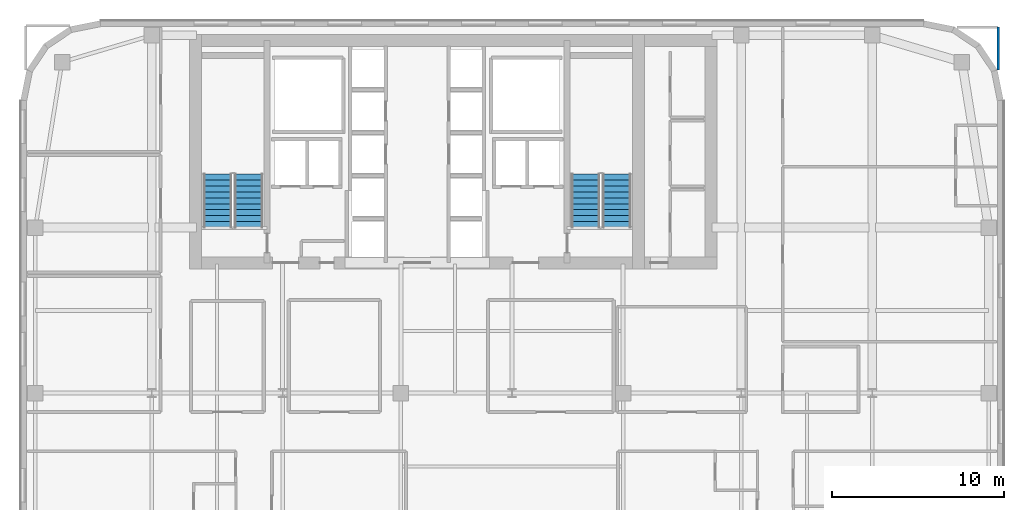
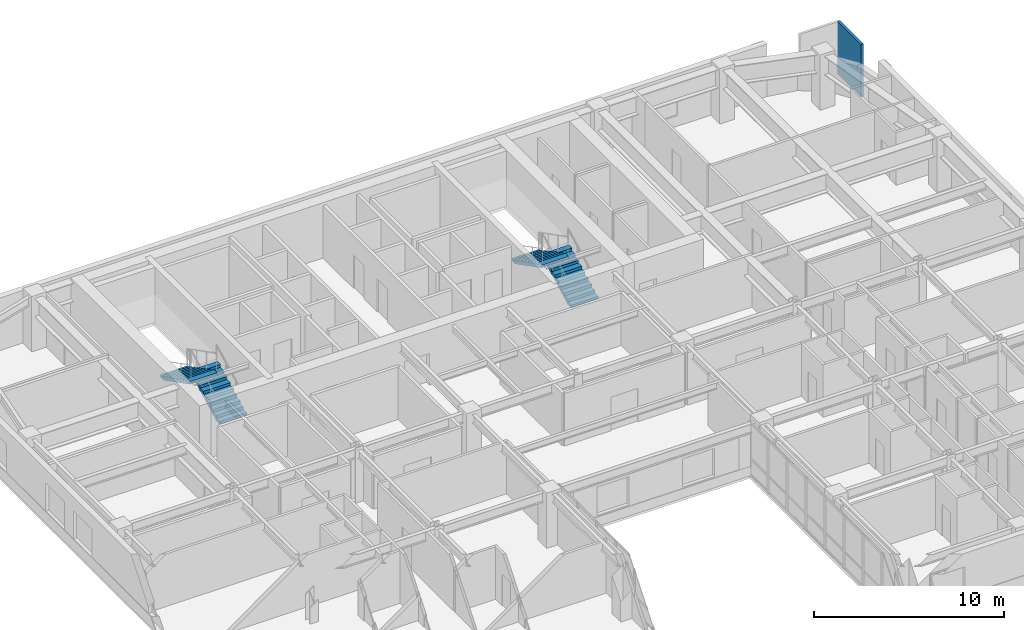
# One storey, part 20 of 25: 4 stair flights, 1 wall, 2 elements without a shape of their own.
"""IFC4 building model written with IfcOpenShell, lengths in metres."""

import ifcopenshell
import ifcopenshell.guid

model = None  # the IFC model being written
_history = None  # IfcOwnerHistory: only IFC2X3 demands one
_inside = {}  # id of a spatial element -> (the spatial element, [elements in it])
_under = {}  # id of a project, library or spatial element -> (it, [spatial elements below it])
_declared = {}  # id of a project -> (the project, [libraries it declares])
_typed = {}  # id of a type object -> (the type object, [elements of that type])
_made_of = {}  # id of a material, layer set ... -> (it, [elements and type objects made of it])


def new_model(schema):
    """Start an empty IFC model of exactly this schema.

    Asked for "IFC4X3", IfcOpenShell would pick the latest addendum, in which some entities
    have other attributes; the version numbers below select the first issue.
    IFC2X3 requires an IfcOwnerHistory on every rooted entity: one is made here for all.
    """
    global model, _history
    if schema == "IFC4X3":
        model = ifcopenshell.file(schema_version=(4, 3, 0, 0))
    else:
        model = ifcopenshell.file(schema=schema)
    _inside.clear()
    _under.clear()
    _declared.clear()
    _typed.clear()
    _made_of.clear()
    _history = None
    if model.schema == "IFC2X3":
        org = make("IfcOrganization", Name="unknown")
        user = make(
            "IfcPersonAndOrganization",
            ThePerson=make("IfcPerson", FamilyName="unknown"),
            TheOrganization=org,
        )
        app = make(
            "IfcApplication",
            ApplicationDeveloper=org,
            Version="unknown",
            ApplicationFullName="unknown",
            ApplicationIdentifier="unknown",
        )
        _history = make(
            "IfcOwnerHistory",
            OwningUser=user,
            OwningApplication=app,
            ChangeAction="ADDED",
            CreationDate=0,
        )
    return model


def make(cls, **values):
    """One entity of the class cls with the attributes given. An attribute that is None is left unset."""
    return model.create_entity(
        cls, **{name: value for name, value in values.items() if value is not None}
    )


def rooted(cls, **values):
    """An entity with a GlobalId (a new one), such as an element, a storey or a relation."""
    return make(cls, GlobalId=ifcopenshell.guid.new(), OwnerHistory=_history, **values)


def si_unit(unit_type, name, prefix=None):
    """IfcSIUnit, for example si_unit("LENGTHUNIT", "METRE", prefix="MILLI")."""
    return make("IfcSIUnit", UnitType=unit_type, Prefix=prefix, Name=name)


def assignment(units):
    """IfcUnitAssignment: the units of a project."""
    return None if units is None else make("IfcUnitAssignment", Units=units)


def point(xyz):
    """IfcCartesianPoint."""
    return None if xyz is None else make("IfcCartesianPoint", Coordinates=xyz)


def direction(xyz):
    """IfcDirection."""
    return None if xyz is None else make("IfcDirection", DirectionRatios=xyz)


def frame(location, z_axis=None, x_axis=None):
    """IfcAxis2Placement3D, a coordinate frame: its origin and axes. An axis left out is left unset."""
    return make(
        "IfcAxis2Placement3D",
        Location=point(location),
        Axis=direction(z_axis),
        RefDirection=direction(x_axis),
    )


def frame_2d(location, x_axis=None):
    """IfcAxis2Placement2D, a coordinate frame in the plane: its origin and x axis."""
    return make(
        "IfcAxis2Placement2D", Location=point(location), RefDirection=direction(x_axis)
    )


def origin():
    """The frame at (0, 0, 0) with its axes left unset."""
    return frame((0.0, 0.0, 0.0))


def place(relative_to, where):
    """IfcLocalPlacement: puts the frame where relative to a parent placement (None: the world)."""
    return make(
        "IfcLocalPlacement", PlacementRelTo=relative_to, RelativePlacement=where
    )


def context(
    kind, dimensions, precision=None, world=None, true_north=None, identifier=None
):
    """IfcGeometricRepresentationContext, for example the 3D "Model" context."""
    return make(
        "IfcGeometricRepresentationContext",
        ContextIdentifier=identifier,
        ContextType=kind,
        CoordinateSpaceDimension=dimensions,
        Precision=precision,
        WorldCoordinateSystem=world,
        TrueNorth=true_north,
    )


def subcontext(parent, identifier, kind, view, scale=None):
    """IfcGeometricRepresentationSubContext, for example "Body" below "Model"."""
    return make(
        "IfcGeometricRepresentationSubContext",
        ContextIdentifier=identifier,
        ContextType=kind,
        ParentContext=parent,
        TargetScale=scale,
        TargetView=view,
    )


def project(units=None, contexts=None):
    """IfcProject with its units and contexts."""
    return rooted(
        "IfcProject",
        Name="project",
        RepresentationContexts=contexts,
        UnitsInContext=assignment(units),
    )


def spatial(cls, under=None, at=None, **own):
    """A site, building, storey or space (cls), placed at a placement, below another one or the project."""
    s = rooted(cls, ObjectPlacement=at, **own)
    if under is not None:
        _under.setdefault(under.id(), (under, []))[1].append(s)
    return s


def polyline(points):
    """IfcPolyline through the points."""
    return make("IfcPolyline", Points=[point(p) for p in points])


def profile(cls, at=None, kind="AREA", **sizes):
    """A parametric profile (cls). Its sizes go by their IFC names, for example OverallWidth=200.0."""
    return make(cls, ProfileType=kind, Position=at, **sizes)


def rectangle(**sizes):
    """IfcRectangleProfileDef."""
    return profile("IfcRectangleProfileDef", **sizes)


def outline(outer, holes=None, kind="AREA"):
    """IfcArbitraryClosedProfileDef: a profile drawn as a closed curve; with holes, ...WithVoids."""
    if holes is None:
        return make("IfcArbitraryClosedProfileDef", ProfileType=kind, OuterCurve=outer)
    return make(
        "IfcArbitraryProfileDefWithVoids",
        ProfileType=kind,
        OuterCurve=outer,
        InnerCurves=holes,
    )


def extrude(swept, where, along, depth):
    """IfcExtrudedAreaSolid: the profile swept, set in the frame where, extruded along a direction by depth."""
    return make(
        "IfcExtrudedAreaSolid",
        SweptArea=swept,
        Position=where,
        ExtrudedDirection=direction(along),
        Depth=depth,
    )


def shape(context_of_items, identifier, shape_type, items):
    """IfcShapeRepresentation: the items that make up one representation, for example the "Body"."""
    return make(
        "IfcShapeRepresentation",
        ContextOfItems=context_of_items,
        RepresentationIdentifier=identifier,
        RepresentationType=shape_type,
        Items=items,
    )


def material(Name=None, Category=None):
    """IfcMaterial."""
    return make("IfcMaterial", Name=Name, Category=Category)


def layer(
    of_material, thickness, ventilated=None, Name=None, Category=None, Priority=None
):
    """IfcMaterialLayer: one layer of a wall or slab, of a material (None: an air gap)."""
    return make(
        "IfcMaterialLayer",
        Material=of_material,
        LayerThickness=thickness,
        IsVentilated=ventilated,
        Name=Name,
        Category=Category,
        Priority=Priority,
    )


def layer_set(layers, Name=None):
    """IfcMaterialLayerSet."""
    return make("IfcMaterialLayerSet", MaterialLayers=layers, LayerSetName=Name)


def made_of(thing, what):
    """Note that an element or type object is made of a material, layer set ...; save() writes the relation."""
    if what is not None:
        _made_of.setdefault(what.id(), (what, []))[1].append(thing)
    return thing


def type_object(cls, material=None, **own):
    """A type object (cls), such as IfcWallType, which elements share."""
    return made_of(rooted(cls, **own), material)


def element(
    cls,
    number,
    at=None,
    inside=None,
    cuts=None,
    type_object=None,
    material=None,
    context=None,
    identifier="Body",
    shape_type=None,
    held_by="IfcProductDefinitionShape",
    body=None,
    shapes=None,
    **own,
):
    """One element of the class cls, such as IfcWall. Its Tag is "e" and its number.

    at: its placement. inside: the storey or other place that contains it. cuts: it is an
    opening in that element (IfcRelVoidsElement). A single representation is given by context,
    identifier, shape_type and body (its items); several are given by shapes. held_by: the class
    of the entity that holds the representations. save() writes the other relations.
    """
    e = rooted(cls, Tag="e%d" % number, ObjectPlacement=at, **own)
    if body is not None:
        shapes = [shape(context, identifier, shape_type, body)]
    if shapes is not None:
        e.Representation = make(held_by, Representations=shapes)
    if inside is not None:
        _inside.setdefault(inside.id(), (inside, []))[1].append(e)
    if cuts is not None:
        rooted(
            "IfcRelVoidsElement", RelatingBuildingElement=cuts, RelatedOpeningElement=e
        )
    if type_object is not None:
        _typed.setdefault(type_object.id(), (type_object, []))[1].append(e)
    return made_of(e, material)


def aggregate(whole, parts):
    """IfcRelAggregates: a whole, such as a stair, and the parts it consists of."""
    return rooted("IfcRelAggregates", RelatingObject=whole, RelatedObjects=parts)


def save(model, path):
    """Write the relations noted so far, then the file.

    IfcRelAggregates (storeys below a building ...), IfcRelContainedInSpatialStructure (elements
    in a storey), IfcRelDefinesByType, IfcRelAssociatesMaterial and IfcRelDeclares: one each for
    every whole, place, type object, material and project.
    """
    for whole, parts in _under.values():
        aggregate(whole, parts)
    for where, things in _inside.values():
        rooted(
            "IfcRelContainedInSpatialStructure",
            RelatedElements=things,
            RelatingStructure=where,
        )
    for kind, things in _typed.values():
        rooted("IfcRelDefinesByType", RelatedObjects=things, RelatingType=kind)
    for what, things in _made_of.values():
        rooted("IfcRelAssociatesMaterial", RelatedObjects=things, RelatingMaterial=what)
    for by, libraries in _declared.values():
        rooted("IfcRelDeclares", RelatingContext=by, RelatedDefinitions=libraries)
    model.write(path)


model = new_model("IFC4")

# Units and contexts
model_context = context("Model", 3, precision=1e-05, world=origin(), true_north=direction((0.0, 1.0)))
body_context = subcontext(model_context, "Body", "Model", "MODEL_VIEW")
ifc_project = project(units=[si_unit("LENGTHUNIT", "METRE"), si_unit("AREAUNIT", "SQUARE_METRE"), si_unit("VOLUMEUNIT", "CUBIC_METRE"), si_unit("PLANEANGLEUNIT", "RADIAN"), si_unit("MASSUNIT", "GRAM", prefix="KILO")], contexts=[model_context])

# Site, building, storey
site_placement = place(None, origin())
site = spatial("IfcSite", under=ifc_project, at=site_placement, CompositionType="ELEMENT")
building_placement = place(site_placement, origin())
building = spatial("IfcBuilding", under=site, at=building_placement, Name="Tolvann Quenvar Hotel", CompositionType="ELEMENT")
storey_placement = place(building_placement, frame((0.0, 0.0, 111.550048828125)))
storey = spatial("IfcBuildingStorey", under=building, at=storey_placement, Name="L28", CompositionType="ELEMENT", Elevation=111.550048828125)

# Wall
ifc_material_1 = material(Name="Acoustic twin-stud fire-rated gypsum plasterboard partition")
ifc_layer = layer(ifc_material_1, 0.14990234375)
ifc_layer_set = layer_set([ifc_layer], Name="Acoustic twin-stud fire-rated gypsum plasterboard partition")
wall_type = type_object("IfcWallType", Name="WALL_PART_SUITE_150", PredefinedType="PARTITIONING", material=ifc_layer_set)
wall_placement = place(storey_placement, frame((56.699951171875, 43.135009765625, 0.0), z_axis=(0.0, 0.0, 1.0), x_axis=(0.0, 1.0, 0.0)))
element("IfcWall", 1, at=wall_placement, inside=storey, type_object=wall_type, Name="Interior Partition PT-SPC-L28-RM-NE02-E4", PredefinedType="PARTITIONING", context=body_context, shape_type="SweptSolid", body=[
    extrude(rectangle(XDim=2.485107421875, YDim=0.14990234375, at=frame_2d((1.24267578125, 0.0))), origin(), (0.0, 0.0, 1.0), 3.369873046875),
])

# Stair, stair flights
ifc_material_2 = material(Name="Concrete N40 (40 MPa)", Category="concrete")
stair_type = type_object("IfcStairType", Name="STAIR", PredefinedType="HALF_TURN_STAIR", material=ifc_material_2)
stair_1_placement = place(storey_placement, origin())
stair_1 = element("IfcStair", 2, at=stair_1_placement, inside=storey, type_object=stair_type, Name="L28 ST-C1", PredefinedType="HALF_TURN_STAIR")
stair_flight_type = type_object("IfcStairFlightType", Name="STAIR_FLIGHT", PredefinedType="STRAIGHT", material=ifc_material_2)
stair_flight_1_placement = place(storey_placement, frame((13.22509765625, 34.0, 0.0), z_axis=(0.0, 0.0, 1.0), x_axis=(0.0, 1.0, 0.0)))
stair_flight_1 = element("IfcStairFlight", 3, at=stair_flight_1_placement, type_object=stair_flight_type, Name="ST-C1 flight 1", NumberOfRisers=10, NumberOfTreads=9, PredefinedType="STRAIGHT", RiserHeight=0.1775, TreadLength=0.345, context=body_context, shape_type="SweptSolid", body=[
    extrude(outline(polyline([(0.0, 0.0), (0.0, 0.177490234375), (0.344970703125, 0.177490234375), (0.344970703125, 0.35498046875), (0.68994140625, 0.35498046875), (0.68994140625, 0.532470703125), (1.034912109375, 0.532470703125), (1.034912109375, 0.7099609375), (1.3798828125, 0.7099609375), (1.3798828125, 0.887451171875), (1.72509765625, 0.887451171875), (1.72509765625, 1.06494140625), (2.070068359375, 1.06494140625), (2.070068359375, 1.242431640625), (2.4150390625, 1.242431640625), (2.4150390625, 1.419921875), (2.760009765625, 1.419921875), (2.760009765625, 1.597412109375), (3.10498046875, 1.597412109375), (3.10498046875, 1.77490234375), (3.10498046875, 1.428955078125), (0.32763671875, 0.0), (0.0, 0.0)])), frame((0.0, 0.824951171875, 0.0), z_axis=(0.0, -1.0, 0.0), x_axis=(1.0, 0.0, 0.0)), (0.0, 0.0, 1.0), 1.64990234375),
])
stair_flight_2_placement = place(storey_placement, frame((11.425048828125, 37.10498046875, 1.77490234375), z_axis=(0.0, 0.0, 1.0), x_axis=(0.0, -1.0, 0.0)))
stair_flight_2 = element("IfcStairFlight", 4, at=stair_flight_2_placement, type_object=stair_flight_type, Name="ST-C1 flight 2", NumberOfRisers=10, NumberOfTreads=9, PredefinedType="STRAIGHT", RiserHeight=0.1775, TreadLength=0.345, context=body_context, shape_type="SweptSolid", body=[
    extrude(outline(polyline([(0.0, 0.0), (0.0, 0.177490234375), (0.344970703125, 0.177490234375), (0.344970703125, 0.35498046875), (0.68994140625, 0.35498046875), (0.68994140625, 0.532470703125), (1.034912109375, 0.532470703125), (1.034912109375, 0.7099609375), (1.3798828125, 0.7099609375), (1.3798828125, 0.887451171875), (1.72509765625, 0.887451171875), (1.72509765625, 1.06494140625), (2.070068359375, 1.06494140625), (2.070068359375, 1.242431640625), (2.4150390625, 1.242431640625), (2.4150390625, 1.419921875), (2.760009765625, 1.419921875), (2.760009765625, 1.597412109375), (3.10498046875, 1.597412109375), (3.10498046875, 1.77490234375), (3.10498046875, 1.428955078125), (0.32763671875, 0.0), (0.0, 0.0)])), frame((0.0, 0.824951171875, 0.0), z_axis=(0.0, -1.0, 0.0), x_axis=(1.0, 0.0, 0.0)), (0.0, 0.0, 1.0), 1.64990234375),
])
aggregate(stair_1, [stair_flight_1, stair_flight_2])

stair_2_placement = place(storey_placement, origin())
stair_2 = element("IfcStair", 5, at=stair_2_placement, inside=storey, type_object=stair_type, Name="L28 ST-C2", PredefinedType="HALF_TURN_STAIR")
stair_flight_3_placement = place(storey_placement, frame((34.574951171875, 34.0, 0.0), z_axis=(0.0, 0.0, 1.0), x_axis=(0.0, 1.0, 0.0)))
stair_flight_3 = element("IfcStairFlight", 6, at=stair_flight_3_placement, type_object=stair_flight_type, Name="ST-C2 flight 1", NumberOfRisers=10, NumberOfTreads=9, PredefinedType="STRAIGHT", RiserHeight=0.1775, TreadLength=0.345, context=body_context, shape_type="SweptSolid", body=[
    extrude(outline(polyline([(0.0, 0.0), (0.0, 0.177490234375), (0.344970703125, 0.177490234375), (0.344970703125, 0.35498046875), (0.68994140625, 0.35498046875), (0.68994140625, 0.532470703125), (1.034912109375, 0.532470703125), (1.034912109375, 0.7099609375), (1.3798828125, 0.7099609375), (1.3798828125, 0.887451171875), (1.72509765625, 0.887451171875), (1.72509765625, 1.06494140625), (2.070068359375, 1.06494140625), (2.070068359375, 1.242431640625), (2.4150390625, 1.242431640625), (2.4150390625, 1.419921875), (2.760009765625, 1.419921875), (2.760009765625, 1.597412109375), (3.10498046875, 1.597412109375), (3.10498046875, 1.77490234375), (3.10498046875, 1.428955078125), (0.32763671875, 0.0), (0.0, 0.0)])), frame((0.0, 0.824951171875, 0.0), z_axis=(0.0, -1.0, 0.0), x_axis=(1.0, 0.0, 0.0)), (0.0, 0.0, 1.0), 1.64990234375),
])
stair_flight_4_placement = place(storey_placement, frame((32.77490234375, 37.10498046875, 1.77490234375), z_axis=(0.0, 0.0, 1.0), x_axis=(0.0, -1.0, 0.0)))
stair_flight_4 = element("IfcStairFlight", 7, at=stair_flight_4_placement, type_object=stair_flight_type, Name="ST-C2 flight 2", NumberOfRisers=10, NumberOfTreads=9, PredefinedType="STRAIGHT", RiserHeight=0.1775, TreadLength=0.345, context=body_context, shape_type="SweptSolid", body=[
    extrude(outline(polyline([(0.0, 0.0), (0.0, 0.177490234375), (0.344970703125, 0.177490234375), (0.344970703125, 0.35498046875), (0.68994140625, 0.35498046875), (0.68994140625, 0.532470703125), (1.034912109375, 0.532470703125), (1.034912109375, 0.7099609375), (1.3798828125, 0.7099609375), (1.3798828125, 0.887451171875), (1.72509765625, 0.887451171875), (1.72509765625, 1.06494140625), (2.070068359375, 1.06494140625), (2.070068359375, 1.242431640625), (2.4150390625, 1.242431640625), (2.4150390625, 1.419921875), (2.760009765625, 1.419921875), (2.760009765625, 1.597412109375), (3.10498046875, 1.597412109375), (3.10498046875, 1.77490234375), (3.10498046875, 1.428955078125), (0.32763671875, 0.0), (0.0, 0.0)])), frame((0.0, 0.824951171875, 0.0), z_axis=(0.0, -1.0, 0.0), x_axis=(1.0, 0.0, 0.0)), (0.0, 0.0, 1.0), 1.64990234375),
])
aggregate(stair_2, [stair_flight_3, stair_flight_4])

save(model, "model.ifc")
